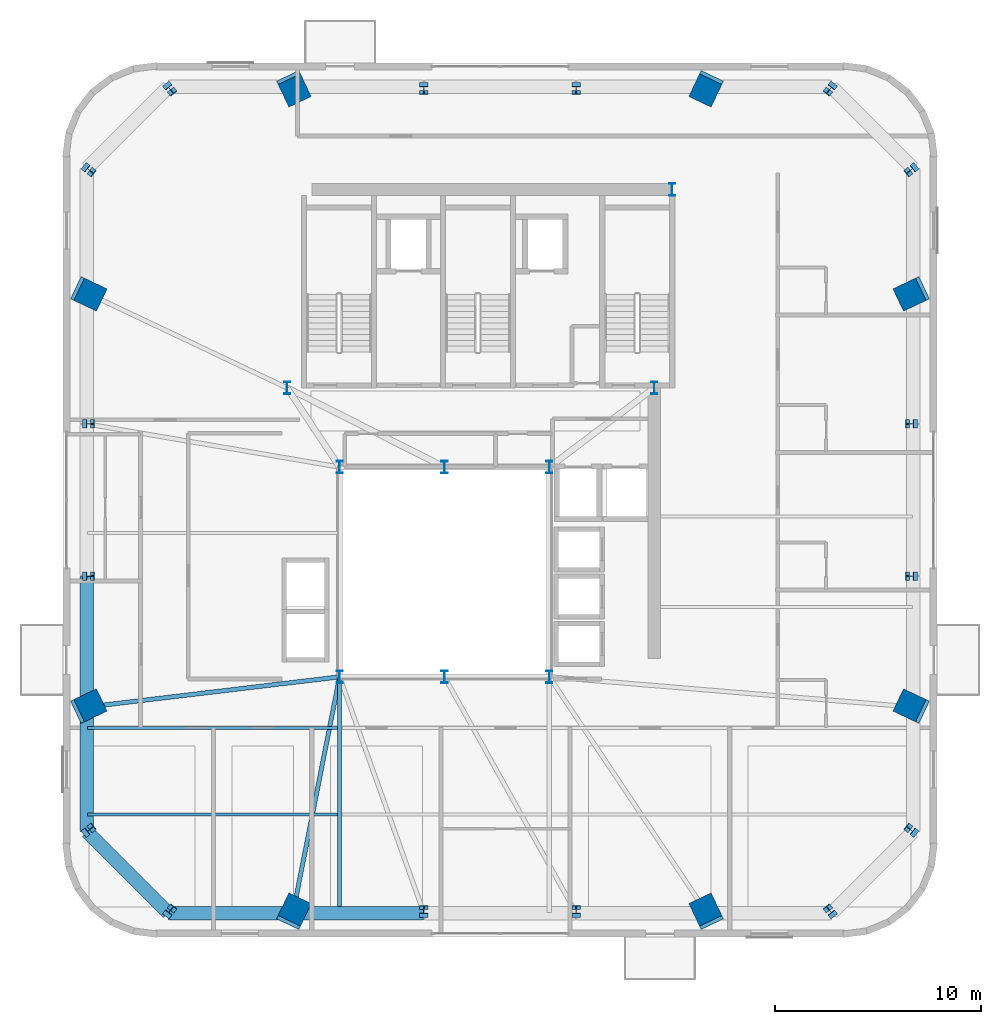
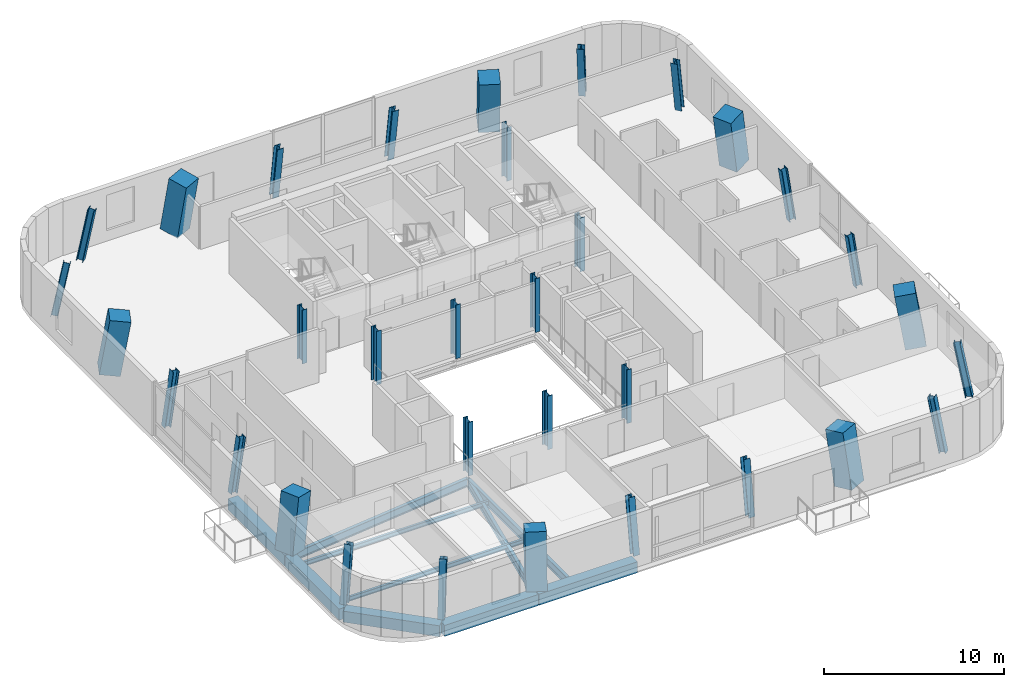
# One storey, part 1 of 14: 33 columns, 10 beams.
"""IFC4 building model written with IfcOpenShell, lengths in metres."""

from ifc_helpers import new_model, si_unit, direction, frame, origin, origin_2d, place, context, subcontext, project, spatial, rectangle, i_section, extrude, source, transform, mapped, material, material_profile, profile_set, type_object, element, save


model = new_model("IFC4")

# Units and contexts
model_context = context("Model", 3, precision=1e-05, world=origin(), true_north=direction((0.0, 1.0)))
body_context = subcontext(model_context, "Body", "Model", "MODEL_VIEW")
ifc_project = project(units=[si_unit("LENGTHUNIT", "METRE"), si_unit("AREAUNIT", "SQUARE_METRE"), si_unit("VOLUMEUNIT", "CUBIC_METRE"), si_unit("PLANEANGLEUNIT", "RADIAN"), si_unit("MASSUNIT", "GRAM", prefix="KILO")], contexts=[model_context])

# Site, building, storey
site_placement = place(None, origin())
site = spatial("IfcSite", under=ifc_project, at=site_placement, CompositionType="ELEMENT")
building_placement = place(site_placement, origin())
building = spatial("IfcBuilding", under=site, at=building_placement, Name="Vardaveli Station Tower", CompositionType="ELEMENT")
storey_placement = place(building_placement, frame((0.0, 0.0, 270.35009765625)))
storey = spatial("IfcBuildingStorey", under=building, at=storey_placement, Name="L69", CompositionType="ELEMENT", Elevation=270.35009765625)

# Columns
ifc_material_1 = material(Name="Structural steel S460M", Category="steel")
ifc_material_profile_1 = material_profile(ifc_material_1, i_section(OverallWidth=0.300048828125, OverallDepth=0.60009765625, WebThickness=0.015380859375, FlangeThickness=0.030029296875, FilletRadius=0.027099609375, at=origin_2d()), Name="HEB 600")
ifc_profile_set_1 = profile_set([ifc_material_profile_1], Name="Structural steel S460M")
column_type_1 = type_object("IfcColumnType", Name="COL-HEB600", PredefinedType="COLUMN", material=ifc_profile_set_1)
shared_shape_1 = source(origin(), body_context, "Body", "SweptSolid", [
    extrude(i_section(OverallWidth=0.300048828125, OverallDepth=0.60009765625, WebThickness=0.015380859375, FlangeThickness=0.030029296875, FilletRadius=0.027099609375, at=origin_2d()), origin(), (0.0, 0.0, 1.0), 3.64990234375),
])
for number, where, z_axis, x_axis, name in (
    (1, (31.199951171875, 16.60009765625, 0.0), (0.0, 0.0, 1.0), (1.0, 0.0, 0.0), "COL-L69-AC1"),
    (2, (36.300048828125, 16.60009765625, 0.0), (0.0, 0.0, 1.0), (1.0, 0.0, 0.0), "COL-L69-AC2"),
    (3, (41.39990234375, 16.60009765625, 0.0), (0.0, 0.0, 1.0), (1.0, 0.0, 0.0), "COL-L69-AC3"),
    (4, (41.39990234375, 26.800048828125, 0.0), (0.0, 0.0, 1.0), (1.0, 0.0, 0.0), "COL-L69-AC4"),
    (5, (36.300048828125, 26.800048828125, 0.0), (0.0, 0.0, 1.0), (1.0, 0.0, 0.0), "COL-L69-AC5"),
    (6, (31.199951171875, 26.800048828125, 0.0), (0.0, 0.0, 1.0), (1.0, 0.0, 0.0), "COL-L69-AC6"),
    (7, (28.64990234375, 30.64990234375, 0.0), (0.0, 0.0, 1.0), (1.0, 0.0, 0.0), "COL-L69-CC1"),
    (8, (46.5, 30.64990234375, 0.0), (0.0, 0.0, 1.0), (1.0, 0.0, 0.0), "COL-L69-CC2"),
    (9, (47.3701171875, 40.300048828125, 0.0), (0.0, 0.0, 1.0), (1.0, 0.0, 0.0), "COL-L69-CC3"),
):
    element("IfcColumn", number, at=place(storey_placement, frame(where, z_axis=z_axis, x_axis=x_axis)), inside=storey, type_object=column_type_1, Name=name, PredefinedType="COLUMN", context=body_context, shape_type="MappedRepresentation", body=[
        mapped(shared_shape_1, transform((0.0, 0.0, 0.0), scale=1.0)),
    ])
ifc_material_2 = material(Name="Concrete C50/60", Category="concrete")
ifc_material_profile_2 = material_profile(ifc_material_2, rectangle(XDim=1.199951171875, YDim=1.199951171875, at=origin_2d()), Name="MC 1200x1200")
ifc_profile_set_2 = profile_set([ifc_material_profile_2], Name="Concrete C50/60")
column_type_2 = type_object("IfcColumnType", Name="COL-MC-1200", PredefinedType="COLUMN", material=ifc_profile_set_2)
shared_shape_2 = source(origin(), body_context, "Body", "SweptSolid", [
    extrude(rectangle(XDim=1.199951171875, YDim=1.199951171875, at=origin_2d()), origin(), (0.0, 0.0, 1.0), 3.698486328125),
])
for number, where, z_axis, x_axis, name in (
    (10, (28.931884765625, 5.110107421875, 0.0), (0.069311306377, 0.145949807999, 0.98686098127), (-0.903313127325, 0.428981810806, 0.0), "COL-L69-MC1"),
    (11, (49.068115234375, 5.110107421875, 0.0), (-0.069311306377, 0.145949807999, 0.98686098127), (-0.903313127325, -0.428981810806, 0.0), "COL-L69-MC2"),
    (12, (59.090087890625, 15.132080078125, 0.0), (-0.146015079447, 0.069244945, 0.986855984511), (-0.428490156126, -0.903546449333, 0.0), "COL-L69-MC3"),
    (13, (59.090087890625, 35.26806640625, 0.0), (-0.146014411715, -0.069310638472, 0.986851471583), (0.428823545912, -0.903388270054, 0.0), "COL-L69-MC4"),
    (14, (49.068115234375, 45.2900390625, 0.0), (-0.069310638472, -0.146014411715, 0.986851471583), (0.903388270054, -0.428823545912, 0.0), "COL-L69-MC5"),
    (15, (28.931884765625, 45.2900390625, 0.0), (0.069310638472, -0.146014411715, 0.986851471583), (0.903388270054, 0.428823545912, 0.0), "COL-L69-MC6"),
    (16, (18.909912109375, 35.26806640625, 0.0), (0.146014411715, -0.069310638472, 0.986851471583), (0.428823545912, 0.903388270054, 0.0), "COL-L69-MC7"),
    (17, (18.909912109375, 15.132080078125, 0.0), (0.146015079447, 0.069244945, 0.986855984511), (-0.428490156126, 0.903546449333, 0.0), "COL-L69-MC8"),
):
    element("IfcColumn", number, at=place(storey_placement, frame(where, z_axis=z_axis, x_axis=x_axis)), inside=storey, type_object=column_type_2, Name=name, PredefinedType="COLUMN", context=body_context, shape_type="MappedRepresentation", body=[
        mapped(shared_shape_2, transform((0.0, 0.0, 0.0), scale=1.0)),
    ])
ifc_material_profile_3 = material_profile(ifc_material_1, i_section(OverallWidth=0.405029296875, OverallDepth=0.403076171875, WebThickness=0.017822265625, FlangeThickness=0.02783203125, FilletRadius=0.014892578125, at=origin_2d()), Name="HD 400x287")
ifc_profile_set_3 = profile_set([ifc_material_profile_3], Name="Structural steel S460M")
column_type_3 = type_object("IfcColumnType", Name="COL-HD287", PredefinedType="COLUMN", material=ifc_profile_set_3)
shared_shape_3 = source(origin(), body_context, "Body", "SweptSolid", [
    extrude(i_section(OverallWidth=0.405029296875, OverallDepth=0.403076171875, WebThickness=0.017822265625, FlangeThickness=0.02783203125, FilletRadius=0.014892578125, at=origin_2d()), origin(), (0.0, 0.0, 1.0), 3.689697265625),
])
for number, where, z_axis, x_axis, name in (
    (18, (35.300048828125, 5.110107421875, 0.0), (0.0, 0.146301651829, 0.989240024803), (-1.0, 0.0, 0.0), "COL-L69-PC02"),
    (19, (42.699951171875, 5.110107421875, 0.0), (0.0, 0.146301651829, 0.989240024803), (-1.0, 0.0, 0.0), "COL-L69-PC03"),
    (20, (59.090087890625, 21.5, 0.0), (-0.146366404478, 0.0, 0.989230446175), (0.0, -1.0, 0.0), "COL-L69-PC06"),
    (21, (59.090087890625, 28.89990234375, 0.0), (-0.146366404478, 0.0, 0.989230446175), (0.0, -1.0, 0.0), "COL-L69-PC07"),
    (22, (42.699951171875, 45.2900390625, 0.0), (0.0, -0.146366404478, 0.989230446175), (1.0, 0.0, 0.0), "COL-L69-PC10"),
    (23, (35.300048828125, 45.2900390625, 0.0), (0.0, -0.146366404478, 0.989230446175), (1.0, 0.0, 0.0), "COL-L69-PC11"),
    (24, (18.909912109375, 28.89990234375, 0.0), (0.146366404478, 0.0, 0.989230446175), (0.0, 1.0, 0.0), "COL-L69-PC14"),
    (25, (18.909912109375, 21.5, 0.0), (0.146366404478, 0.0, 0.989230446175), (0.0, 1.0, 0.0), "COL-L69-PC15"),
):
    element("IfcColumn", number, at=place(storey_placement, frame(where, z_axis=z_axis, x_axis=x_axis)), inside=storey, type_object=column_type_3, Name=name, PredefinedType="COLUMN", context=body_context, shape_type="MappedRepresentation", body=[
        mapped(shared_shape_3, transform((0.0, 0.0, 0.0), scale=1.0)),
    ])
shared_shape_4 = source(origin(), body_context, "Body", "SweptSolid", [
    extrude(i_section(OverallWidth=0.405029296875, OverallDepth=0.403076171875, WebThickness=0.017822265625, FlangeThickness=0.02783203125, FilletRadius=0.014892578125, at=origin_2d()), origin(), (0.0, 0.0, 1.0), 3.714111328125),
])
for number, where, z_axis, x_axis, name in (
    (26, (22.8701171875, 5.110107421875, 0.0), (0.114963822711, 0.145331624937, 0.982681046047), (-0.784283129619, 0.620403072684, 0.0), "COL-L69-PC01"),
    (27, (55.1298828125, 5.110107421875, 0.0), (-0.114963822711, 0.145331624937, 0.982681046047), (-0.784283129619, -0.620403072684, 0.0), "COL-L69-PC04"),
):
    element("IfcColumn", number, at=place(storey_placement, frame(where, z_axis=z_axis, x_axis=x_axis)), inside=storey, type_object=column_type_3, Name=name, PredefinedType="COLUMN", context=body_context, shape_type="MappedRepresentation", body=[
        mapped(shared_shape_4, transform((0.0, 0.0, 0.0), scale=1.0)),
    ])
shared_shape_5 = source(origin(), body_context, "Body", "SweptSolid", [
    extrude(i_section(OverallWidth=0.405029296875, OverallDepth=0.403076171875, WebThickness=0.017822265625, FlangeThickness=0.02783203125, FilletRadius=0.014892578125, at=origin_2d()), origin(), (0.0, 0.0, 1.0), 3.71435546875),
])
for number, where, z_axis, x_axis, name in (
    (28, (59.090087890625, 9.070068359375, 0.0), (-0.145395966862, 0.11496272425, 0.982671656686), (-0.620230509589, -0.784419603895, 0.0), "COL-L69-PC05"),
    (29, (59.090087890625, 41.330078125, 0.0), (-0.145395966862, -0.11496272425, 0.982671656686), (0.620230509589, -0.784419603895, 0.0), "COL-L69-PC08"),
    (30, (55.1298828125, 45.2900390625, 0.0), (-0.11496272425, -0.145395966862, 0.982671656686), (0.784419603895, -0.620230509589, 0.0), "COL-L69-PC09"),
    (31, (22.8701171875, 45.2900390625, 0.0), (0.11496272425, -0.145395966862, 0.982671656686), (0.784419603895, 0.620230509589, 0.0), "COL-L69-PC12"),
    (32, (18.909912109375, 41.330078125, 0.0), (0.145395966862, -0.11496272425, 0.982671656686), (0.620230509589, 0.784419603895, 0.0), "COL-L69-PC13"),
    (33, (18.909912109375, 9.070068359375, 0.0), (0.145395966862, 0.11496272425, 0.982671656686), (-0.620230509589, 0.784419603895, 0.0), "COL-L69-PC16"),
):
    element("IfcColumn", number, at=place(storey_placement, frame(where, z_axis=z_axis, x_axis=x_axis)), inside=storey, type_object=column_type_3, Name=name, PredefinedType="COLUMN", context=body_context, shape_type="MappedRepresentation", body=[
        mapped(shared_shape_5, transform((0.0, 0.0, 0.0), scale=1.0)),
    ])

# Beams
ifc_material_3 = material(Name="Precast concrete C45/55", Category="concrete")
ifc_material_profile_4 = material_profile(ifc_material_3, rectangle(XDim=0.64990234375, YDim=0.75, at=origin_2d()), Name="LPB 650x750")
ifc_profile_set_4 = profile_set([ifc_material_profile_4], Name="Precast concrete C45/55")
beam_type_1 = type_object("IfcBeamType", Name="BM-LPB-750", PredefinedType="BEAM", material=ifc_profile_set_4)
shared_shape_6 = source(origin(), body_context, "Body", "SweptSolid", [
    extrude(rectangle(XDim=0.64990234375, YDim=0.75, at=origin_2d()), origin(), (0.0, 0.0, 1.0), 6.328125),
])
beam_1_placement = place(storey_placement, frame((28.951904296875, 5.110107421875, -0.675048828125), z_axis=(1.0, 0.0, 0.0), x_axis=(0.0, 1.0, 0.0)))
element("IfcBeam", 34, at=beam_1_placement, inside=storey, type_object=beam_type_1, Name="RBM-L69-01", PredefinedType="BEAM", context=body_context, shape_type="MappedRepresentation", body=[
    mapped(shared_shape_6, transform((0.0, 0.0, 0.0), scale=1.0)),
])
shared_shape_7 = source(origin(), body_context, "Body", "SweptSolid", [
    extrude(rectangle(XDim=0.64990234375, YDim=0.75, at=origin_2d()), origin(), (0.0, 0.0, 1.0), 6.022216796875),
])
beam_2_placement = place(storey_placement, frame((22.889892578125, 5.110107421875, -0.675048828125), z_axis=(1.0, 0.0, 0.0), x_axis=(0.0, 1.0, 0.0)))
element("IfcBeam", 35, at=beam_2_placement, inside=storey, type_object=beam_type_1, Name="RBM-L69-24", PredefinedType="BEAM", context=body_context, shape_type="MappedRepresentation", body=[
    mapped(shared_shape_7, transform((0.0, 0.0, 0.0), scale=1.0)),
])
shared_shape_8 = source(origin(), body_context, "Body", "SweptSolid", [
    extrude(rectangle(XDim=0.64990234375, YDim=0.75, at=origin_2d()), origin(), (0.0, 0.0, 1.0), 5.560546875),
])
beam_3_placement = place(storey_placement, frame((18.924072265625, 9.055908203125, -0.675048828125), z_axis=(0.707106781187, -0.707106781187, 0.0), x_axis=(0.707106781187, 0.707106781187, 0.0)))
element("IfcBeam", 36, at=beam_3_placement, inside=storey, type_object=beam_type_1, Name="RBM-L69-23", PredefinedType="BEAM", context=body_context, shape_type="MappedRepresentation", body=[
    mapped(shared_shape_8, transform((0.0, 0.0, 0.0), scale=1.0)),
])
shared_shape_9 = source(origin(), body_context, "Body", "SweptSolid", [
    extrude(rectangle(XDim=0.64990234375, YDim=0.75, at=origin_2d()), origin(), (0.0, 0.0, 1.0), 6.02197265625),
])
beam_4_placement = place(storey_placement, frame((18.909912109375, 15.112060546875, -0.675048828125), z_axis=(0.0, -1.0, 0.0), x_axis=(1.0, 0.0, 0.0)))
element("IfcBeam", 37, at=beam_4_placement, inside=storey, type_object=beam_type_1, Name="RBM-L69-22", PredefinedType="BEAM", context=body_context, shape_type="MappedRepresentation", body=[
    mapped(shared_shape_9, transform((0.0, 0.0, 0.0), scale=1.0)),
])
shared_shape_10 = source(origin(), body_context, "Body", "SweptSolid", [
    extrude(rectangle(XDim=0.64990234375, YDim=0.75, at=origin_2d()), origin(), (0.0, 0.0, 1.0), 6.327880859375),
])
beam_5_placement = place(storey_placement, frame((18.909912109375, 21.47998046875, -0.675048828125), z_axis=(0.0, -1.0, 0.0), x_axis=(1.0, 0.0, 0.0)))
element("IfcBeam", 38, at=beam_5_placement, inside=storey, type_object=beam_type_1, Name="RBM-L69-21", PredefinedType="BEAM", context=body_context, shape_type="MappedRepresentation", body=[
    mapped(shared_shape_10, transform((0.0, 0.0, 0.0), scale=1.0)),
])
ifc_material_4 = material(Name="Structural steel S355J2", Category="steel")
ifc_material_profile_5 = material_profile(ifc_material_4, i_section(OverallWidth=0.2099609375, OverallDepth=0.550048828125, WebThickness=0.010986328125, FlangeThickness=0.01708984375, FilletRadius=0.02392578125, at=origin_2d()), Name="IPE 550")
ifc_profile_set_5 = profile_set([ifc_material_profile_5], Name="Structural steel S355J2")
beam_type_2 = type_object("IfcBeamType", Name="BM-IPE550", PredefinedType="BEAM", material=ifc_profile_set_5)
shared_shape_11 = source(origin(), body_context, "Body", "SweptSolid", [
    extrude(i_section(OverallWidth=0.2099609375, OverallDepth=0.550048828125, WebThickness=0.010986328125, FlangeThickness=0.01708984375, FilletRadius=0.02392578125, at=origin_2d()), origin(), (0.0, 0.0, 1.0), 11.671630859375),
])
beam_6_placement = place(storey_placement, frame((28.935791015625, 5.129638671875, -0.5751953125), z_axis=(0.193653694844, 0.981069949837, 0.0), x_axis=(-0.981069949837, 0.193653694844, 0.0)))
element("IfcBeam", 39, at=beam_6_placement, inside=storey, type_object=beam_type_2, Name="GBM-L69-01", PredefinedType="BEAM", context=body_context, shape_type="MappedRepresentation", body=[
    mapped(shared_shape_11, transform((0.0, 0.0, 0.0), scale=1.0)),
])
shared_shape_12 = source(origin(), body_context, "Body", "SweptSolid", [
    extrude(i_section(OverallWidth=0.2099609375, OverallDepth=0.550048828125, WebThickness=0.010986328125, FlangeThickness=0.01708984375, FilletRadius=0.02392578125, at=origin_2d()), origin(), (0.0, 0.0, 1.0), 12.33740234375),
])
beam_7_placement = place(storey_placement, frame((18.929931640625, 15.13427734375, -0.5751953125), z_axis=(0.992940463525, 0.11861380988, 0.0), x_axis=(-0.11861380988, 0.992940463525, 0.0)))
element("IfcBeam", 40, at=beam_7_placement, inside=storey, type_object=beam_type_2, Name="GBM-L69-10", PredefinedType="BEAM", context=body_context, shape_type="MappedRepresentation", body=[
    mapped(shared_shape_12, transform((0.0, 0.0, 0.0), scale=1.0)),
])
shared_shape_13 = source(origin(), body_context, "Body", "SweptSolid", [
    extrude(i_section(OverallWidth=0.2099609375, OverallDepth=0.550048828125, WebThickness=0.010986328125, FlangeThickness=0.01708984375, FilletRadius=0.02392578125, at=origin_2d()), origin(), (0.0, 0.0, 1.0), 11.31005859375),
])
beam_8_placement = place(storey_placement, frame((31.199951171875, 5.14990234375, -0.5751953125), z_axis=(0.0, 1.0, 0.0), x_axis=(-1.0, 0.0, 0.0)))
element("IfcBeam", 41, at=beam_8_placement, inside=storey, type_object=beam_type_2, Name="NSM-L69-S1", PredefinedType="BEAM", context=body_context, shape_type="MappedRepresentation", body=[
    mapped(shared_shape_13, transform((0.0, 0.0, 0.0), scale=1.0)),
])
ifc_material_profile_6 = material_profile(ifc_material_4, i_section(OverallWidth=0.14990234375, OverallDepth=0.300048828125, WebThickness=0.007080078125, FlangeThickness=0.0107421875, FilletRadius=0.014892578125, at=origin_2d()), Name="IPE 300")
ifc_profile_set_6 = profile_set([ifc_material_profile_6], Name="Structural steel S355J2")
beam_type_3 = type_object("IfcBeamType", Name="BM-IPE300", PredefinedType="JOIST", material=ifc_profile_set_6)
shared_shape_14 = source(origin(), body_context, "Body", "SweptSolid", [
    extrude(i_section(OverallWidth=0.14990234375, OverallDepth=0.300048828125, WebThickness=0.007080078125, FlangeThickness=0.0107421875, FilletRadius=0.014892578125, at=origin_2d()), origin(), (0.0, 0.0, 1.0), 12.137939453125),
])
for number, where, z_axis, x_axis, name in (
    (42, (18.949951171875, 9.909912109375, -0.4501953125), (1.0, 0.0, 0.0), (0.0, 1.0, 0.0), "SJ-L69-S01"),
    (43, (18.949951171875, 14.110107421875, -0.4501953125), (1.0, 0.0, 0.0), (0.0, 1.0, 0.0), "SJ-L69-S04"),
):
    element("IfcBeam", number, at=place(storey_placement, frame(where, z_axis=z_axis, x_axis=x_axis)), inside=storey, type_object=beam_type_3, Name=name, PredefinedType="JOIST", context=body_context, shape_type="MappedRepresentation", body=[
        mapped(shared_shape_14, transform((0.0, 0.0, 0.0), scale=1.0)),
    ])

save(model, "model.ifc")
